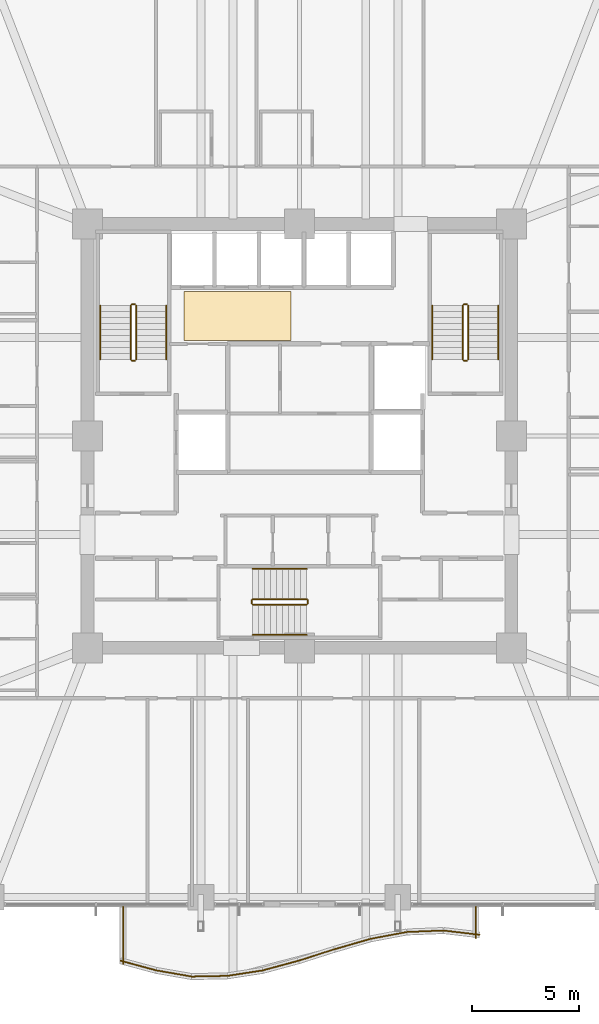
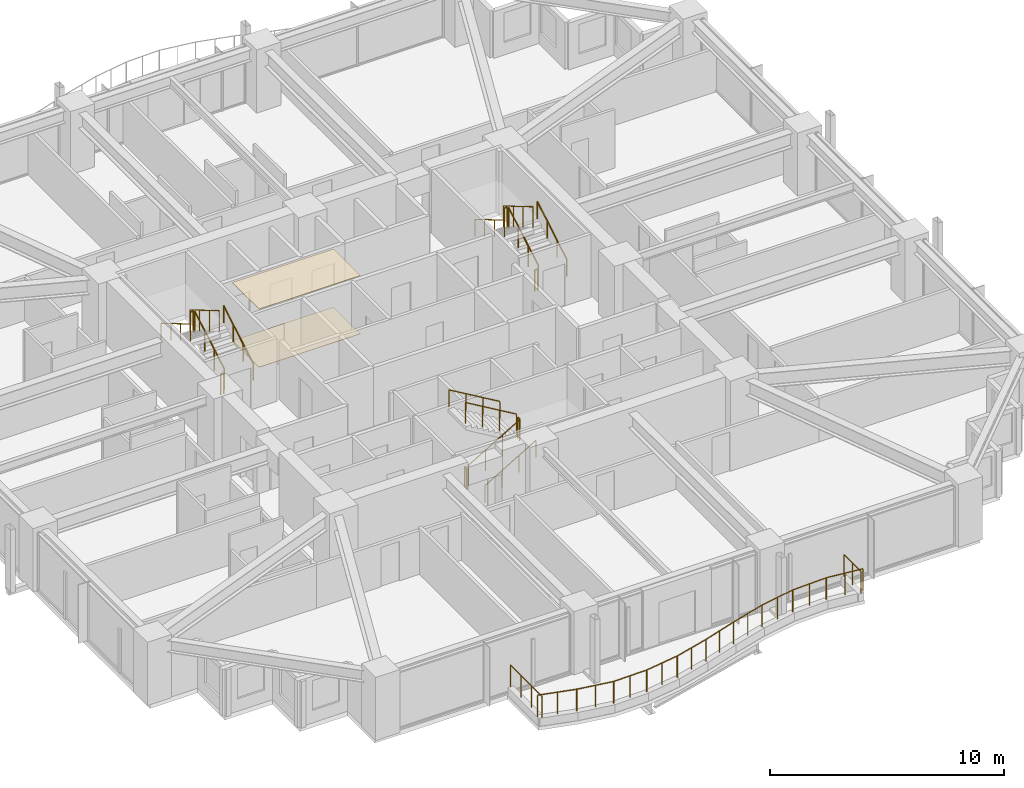
# One storey, part 37 of 38: 30 railings, 2 coverings.
"""IFC4 building model written with IfcOpenShell, lengths in metres."""

import ifcopenshell
import ifcopenshell.guid

model = None  # the IFC model being written
_history = None  # IfcOwnerHistory: only IFC2X3 demands one
_inside = {}  # id of a spatial element -> (the spatial element, [elements in it])
_under = {}  # id of a project, library or spatial element -> (it, [spatial elements below it])
_declared = {}  # id of a project -> (the project, [libraries it declares])
_typed = {}  # id of a type object -> (the type object, [elements of that type])
_made_of = {}  # id of a material, layer set ... -> (it, [elements and type objects made of it])


def new_model(schema):
    """Start an empty IFC model of exactly this schema.

    Asked for "IFC4X3", IfcOpenShell would pick the latest addendum, in which some entities
    have other attributes; the version numbers below select the first issue.
    IFC2X3 requires an IfcOwnerHistory on every rooted entity: one is made here for all.
    """
    global model, _history
    if schema == "IFC4X3":
        model = ifcopenshell.file(schema_version=(4, 3, 0, 0))
    else:
        model = ifcopenshell.file(schema=schema)
    _inside.clear()
    _under.clear()
    _declared.clear()
    _typed.clear()
    _made_of.clear()
    _history = None
    if model.schema == "IFC2X3":
        org = make("IfcOrganization", Name="unknown")
        user = make(
            "IfcPersonAndOrganization",
            ThePerson=make("IfcPerson", FamilyName="unknown"),
            TheOrganization=org,
        )
        app = make(
            "IfcApplication",
            ApplicationDeveloper=org,
            Version="unknown",
            ApplicationFullName="unknown",
            ApplicationIdentifier="unknown",
        )
        _history = make(
            "IfcOwnerHistory",
            OwningUser=user,
            OwningApplication=app,
            ChangeAction="ADDED",
            CreationDate=0,
        )
    return model


def make(cls, **values):
    """One entity of the class cls with the attributes given. An attribute that is None is left unset."""
    return model.create_entity(
        cls, **{name: value for name, value in values.items() if value is not None}
    )


def rooted(cls, **values):
    """An entity with a GlobalId (a new one), such as an element, a storey or a relation."""
    return make(cls, GlobalId=ifcopenshell.guid.new(), OwnerHistory=_history, **values)


def si_unit(unit_type, name, prefix=None):
    """IfcSIUnit, for example si_unit("LENGTHUNIT", "METRE", prefix="MILLI")."""
    return make("IfcSIUnit", UnitType=unit_type, Prefix=prefix, Name=name)


def assignment(units):
    """IfcUnitAssignment: the units of a project."""
    return None if units is None else make("IfcUnitAssignment", Units=units)


def point(xyz):
    """IfcCartesianPoint."""
    return None if xyz is None else make("IfcCartesianPoint", Coordinates=xyz)


def direction(xyz):
    """IfcDirection."""
    return None if xyz is None else make("IfcDirection", DirectionRatios=xyz)


def frame(location, z_axis=None, x_axis=None):
    """IfcAxis2Placement3D, a coordinate frame: its origin and axes. An axis left out is left unset."""
    return make(
        "IfcAxis2Placement3D",
        Location=point(location),
        Axis=direction(z_axis),
        RefDirection=direction(x_axis),
    )


def frame_2d(location, x_axis=None):
    """IfcAxis2Placement2D, a coordinate frame in the plane: its origin and x axis."""
    return make(
        "IfcAxis2Placement2D", Location=point(location), RefDirection=direction(x_axis)
    )


def origin():
    """The frame at (0, 0, 0) with its axes left unset."""
    return frame((0.0, 0.0, 0.0))


def origin_2d():
    """The frame at (0, 0) in the plane with its x axis left unset."""
    return frame_2d((0.0, 0.0))


def place(relative_to, where):
    """IfcLocalPlacement: puts the frame where relative to a parent placement (None: the world)."""
    return make(
        "IfcLocalPlacement", PlacementRelTo=relative_to, RelativePlacement=where
    )


def context(
    kind, dimensions, precision=None, world=None, true_north=None, identifier=None
):
    """IfcGeometricRepresentationContext, for example the 3D "Model" context."""
    return make(
        "IfcGeometricRepresentationContext",
        ContextIdentifier=identifier,
        ContextType=kind,
        CoordinateSpaceDimension=dimensions,
        Precision=precision,
        WorldCoordinateSystem=world,
        TrueNorth=true_north,
    )


def subcontext(parent, identifier, kind, view, scale=None):
    """IfcGeometricRepresentationSubContext, for example "Body" below "Model"."""
    return make(
        "IfcGeometricRepresentationSubContext",
        ContextIdentifier=identifier,
        ContextType=kind,
        ParentContext=parent,
        TargetScale=scale,
        TargetView=view,
    )


def project(units=None, contexts=None):
    """IfcProject with its units and contexts."""
    return rooted(
        "IfcProject",
        Name="project",
        RepresentationContexts=contexts,
        UnitsInContext=assignment(units),
    )


def spatial(cls, under=None, at=None, **own):
    """A site, building, storey or space (cls), placed at a placement, below another one or the project."""
    s = rooted(cls, ObjectPlacement=at, **own)
    if under is not None:
        _under.setdefault(under.id(), (under, []))[1].append(s)
    return s


def polyline(points):
    """IfcPolyline through the points."""
    return make("IfcPolyline", Points=[point(p) for p in points])


def profile(cls, at=None, kind="AREA", **sizes):
    """A parametric profile (cls). Its sizes go by their IFC names, for example OverallWidth=200.0."""
    return make(cls, ProfileType=kind, Position=at, **sizes)


def circle(**sizes):
    """IfcCircleProfileDef."""
    return profile("IfcCircleProfileDef", **sizes)


def outline(outer, holes=None, kind="AREA"):
    """IfcArbitraryClosedProfileDef: a profile drawn as a closed curve; with holes, ...WithVoids."""
    if holes is None:
        return make("IfcArbitraryClosedProfileDef", ProfileType=kind, OuterCurve=outer)
    return make(
        "IfcArbitraryProfileDefWithVoids",
        ProfileType=kind,
        OuterCurve=outer,
        InnerCurves=holes,
    )


def extrude(swept, where, along, depth):
    """IfcExtrudedAreaSolid: the profile swept, set in the frame where, extruded along a direction by depth."""
    return make(
        "IfcExtrudedAreaSolid",
        SweptArea=swept,
        Position=where,
        ExtrudedDirection=direction(along),
        Depth=depth,
    )


def shape(context_of_items, identifier, shape_type, items):
    """IfcShapeRepresentation: the items that make up one representation, for example the "Body"."""
    return make(
        "IfcShapeRepresentation",
        ContextOfItems=context_of_items,
        RepresentationIdentifier=identifier,
        RepresentationType=shape_type,
        Items=items,
    )


def material(Name=None, Category=None):
    """IfcMaterial."""
    return make("IfcMaterial", Name=Name, Category=Category)


def layer(
    of_material, thickness, ventilated=None, Name=None, Category=None, Priority=None
):
    """IfcMaterialLayer: one layer of a wall or slab, of a material (None: an air gap)."""
    return make(
        "IfcMaterialLayer",
        Material=of_material,
        LayerThickness=thickness,
        IsVentilated=ventilated,
        Name=Name,
        Category=Category,
        Priority=Priority,
    )


def layer_set(layers, Name=None):
    """IfcMaterialLayerSet."""
    return make("IfcMaterialLayerSet", MaterialLayers=layers, LayerSetName=Name)


def made_of(thing, what):
    """Note that an element or type object is made of a material, layer set ...; save() writes the relation."""
    if what is not None:
        _made_of.setdefault(what.id(), (what, []))[1].append(thing)
    return thing


def type_object(cls, material=None, **own):
    """A type object (cls), such as IfcWallType, which elements share."""
    return made_of(rooted(cls, **own), material)


def element(
    cls,
    number,
    at=None,
    inside=None,
    cuts=None,
    type_object=None,
    material=None,
    context=None,
    identifier="Body",
    shape_type=None,
    held_by="IfcProductDefinitionShape",
    body=None,
    shapes=None,
    **own,
):
    """One element of the class cls, such as IfcWall. Its Tag is "e" and its number.

    at: its placement. inside: the storey or other place that contains it. cuts: it is an
    opening in that element (IfcRelVoidsElement). A single representation is given by context,
    identifier, shape_type and body (its items); several are given by shapes. held_by: the class
    of the entity that holds the representations. save() writes the other relations.
    """
    e = rooted(cls, Tag="e%d" % number, ObjectPlacement=at, **own)
    if body is not None:
        shapes = [shape(context, identifier, shape_type, body)]
    if shapes is not None:
        e.Representation = make(held_by, Representations=shapes)
    if inside is not None:
        _inside.setdefault(inside.id(), (inside, []))[1].append(e)
    if cuts is not None:
        rooted(
            "IfcRelVoidsElement", RelatingBuildingElement=cuts, RelatedOpeningElement=e
        )
    if type_object is not None:
        _typed.setdefault(type_object.id(), (type_object, []))[1].append(e)
    return made_of(e, material)


def aggregate(whole, parts):
    """IfcRelAggregates: a whole, such as a stair, and the parts it consists of."""
    return rooted("IfcRelAggregates", RelatingObject=whole, RelatedObjects=parts)


def save(model, path):
    """Write the relations noted so far, then the file.

    IfcRelAggregates (storeys below a building ...), IfcRelContainedInSpatialStructure (elements
    in a storey), IfcRelDefinesByType, IfcRelAssociatesMaterial and IfcRelDeclares: one each for
    every whole, place, type object, material and project.
    """
    for whole, parts in _under.values():
        aggregate(whole, parts)
    for where, things in _inside.values():
        rooted(
            "IfcRelContainedInSpatialStructure",
            RelatedElements=things,
            RelatingStructure=where,
        )
    for kind, things in _typed.values():
        rooted("IfcRelDefinesByType", RelatedObjects=things, RelatingType=kind)
    for what, things in _made_of.values():
        rooted("IfcRelAssociatesMaterial", RelatedObjects=things, RelatingMaterial=what)
    for by, libraries in _declared.values():
        rooted("IfcRelDeclares", RelatingContext=by, RelatedDefinitions=libraries)
    model.write(path)


model = new_model("IFC4")

# Units and contexts
model_context = context("Model", 3, precision=1e-05, world=origin(), true_north=direction((0.0, 1.0)))
body_context = subcontext(model_context, "Body", "Model", "MODEL_VIEW")
ifc_project = project(units=[si_unit("LENGTHUNIT", "METRE"), si_unit("AREAUNIT", "SQUARE_METRE"), si_unit("VOLUMEUNIT", "CUBIC_METRE"), si_unit("PLANEANGLEUNIT", "RADIAN"), si_unit("MASSUNIT", "GRAM", prefix="KILO")], contexts=[model_context])

# Site, building, storey
site_placement = place(None, origin())
site = spatial("IfcSite", under=ifc_project, at=site_placement, CompositionType="ELEMENT")
building_placement = place(site_placement, origin())
building = spatial("IfcBuilding", under=site, at=building_placement, Name="Kolvaren Belvedere", CompositionType="ELEMENT")
storey_placement = place(building_placement, frame((0.0, 0.0, 50.199951171875)))
storey = spatial("IfcBuildingStorey", under=building, at=storey_placement, Name="L14", CompositionType="ELEMENT", Elevation=50.199951171875)

# Coverings
ifc_material_1 = material(Name="Acoustic perforated gypsum board", Category="gypsum")
ifc_layer_1 = layer(ifc_material_1, 0.02490234375)
ifc_layer_set_1 = layer_set([ifc_layer_1], Name="Acoustic perforated gypsum board")
covering_type_1 = type_object("IfcCoveringType", Name="COV-CEIL-GYP", PredefinedType="CEILING", material=ifc_layer_set_1)
covering_1_placement = place(storey_placement, frame((0.0, 0.0, 3.03515625)))
element("IfcCovering", 1, at=covering_1_placement, inside=storey, type_object=covering_type_1, Name="L14 Lift Lobby Acoustic Baffle Ceiling", PredefinedType="CEILING", context=body_context, shape_type="SweptSolid", body=[
    extrude(outline(polyline([(-5.39990234375, 4.449951171875), (-0.39990234375, 4.449951171875), (-0.39990234375, 6.75), (-5.39990234375, 6.75), (-5.39990234375, 4.449951171875)])), origin(), (0.0, 0.0, 1.0), 0.02490234375),
])
ifc_material_2 = material(Name="Engineered Pacific white oak", Category="timber")
ifc_layer_2 = layer(ifc_material_2, 0.02001953125)
ifc_layer_set_2 = layer_set([ifc_layer_2], Name="Engineered Pacific white oak")
covering_type_2 = type_object("IfcCoveringType", Name="COV-FLR-OAK", PredefinedType="FLOORING", material=ifc_layer_set_2)
covering_2_placement = place(storey_placement, origin())
element("IfcCovering", 2, at=covering_2_placement, inside=storey, type_object=covering_type_2, Name="L14 Lift Lobby Finish Flooring", PredefinedType="FLOORING", context=body_context, shape_type="SweptSolid", body=[
    extrude(outline(polyline([(-5.39990234375, 4.449951171875), (-0.39990234375, 4.449951171875), (-0.39990234375, 6.75), (-5.39990234375, 6.75), (-5.39990234375, 4.449951171875)])), origin(), (0.0, 0.0, 1.0), 0.02001953125),
])

# Railings
ifc_material_3 = material(Name="Anodised pale-metal aluminium & laminated glass guard", Category="aluminium")
railing_type_1 = type_object("IfcRailingType", Name="RL-GUARD-1150", PredefinedType="GUARDRAIL", material=ifc_material_3)
railing_1_placement = place(storey_placement, frame((-8.3583984375, -24.519287109375, 0.360107421875)))
element("IfcRailing", 3, at=railing_1_placement, inside=storey, type_object=railing_type_1, Name="L14 Exterior Deck Safety Guard BAL-S-1", PredefinedType="GUARDRAIL", context=body_context, shape_type="SweptSolid", body=[
    extrude(circle(Radius=0.02392578125, at=origin_2d()), frame((0.0, 0.0, 1.1259765625), z_axis=(0.965434024814, -0.260647546949, 0.0), x_axis=(0.260647546949, 0.965434024814, 0.0)), (0.0, 0.0, 1.0), 1.740234375),
    extrude(circle(Radius=0.02099609375, at=origin_2d()), origin(), (0.0, 0.0, 1.0), 1.101806640625),
    extrude(circle(Radius=0.02099609375, at=origin_2d()), frame((0.840087890625, -0.226806640625, 0.0)), (0.0, 0.0, 1.0), 1.101806640625),
    extrude(circle(Radius=0.02099609375, at=origin_2d()), frame((1.68017578125, -0.45361328125, 0.0)), (0.0, 0.0, 1.0), 1.101806640625),
])
railing_2_placement = place(storey_placement, frame((-6.6923828125, -24.9697265625, 0.360107421875)))
element("IfcRailing", 4, at=railing_2_placement, inside=storey, type_object=railing_type_1, Name="L14 Exterior Deck Safety Guard BAL-S-2", PredefinedType="GUARDRAIL", context=body_context, shape_type="SweptSolid", body=[
    extrude(circle(Radius=0.02392578125, at=origin_2d()), frame((0.0, 0.0, 1.1259765625), z_axis=(0.985156010777, -0.171661394699, 0.0), x_axis=(0.171661394699, 0.985156010777, 0.0)), (0.0, 0.0, 1.0), 1.705322265625),
    extrude(circle(Radius=0.02099609375, at=origin_2d()), origin(), (0.0, 0.0, 1.0), 1.101806640625),
    extrude(circle(Radius=0.02099609375, at=origin_2d()), frame((0.83984375, -0.146484375, 0.0)), (0.0, 0.0, 1.0), 1.101806640625),
    extrude(circle(Radius=0.02099609375, at=origin_2d()), frame((1.679931640625, -0.292724609375, 0.0)), (0.0, 0.0, 1.0), 1.101806640625),
])
railing_3_placement = place(storey_placement, frame((-5.043212890625, -25.260009765625, 0.360107421875)))
element("IfcRailing", 5, at=railing_3_placement, inside=storey, type_object=railing_type_1, Name="L14 Exterior Deck Safety Guard BAL-S-3", PredefinedType="GUARDRAIL", context=body_context, shape_type="SweptSolid", body=[
    extrude(circle(Radius=0.02392578125, at=origin_2d()), frame((0.0, 0.0, 1.1259765625), z_axis=(0.999796031266, 0.020196431964, 0.0), x_axis=(-0.020196431964, 0.999796031266, 0.0)), (0.0, 0.0, 1.0), 1.68017578125),
    extrude(circle(Radius=0.02099609375, at=origin_2d()), origin(), (0.0, 0.0, 1.0), 1.101806640625),
    extrude(circle(Radius=0.02099609375, at=origin_2d()), frame((0.83984375, 0.01708984375, 0.0)), (0.0, 0.0, 1.0), 1.101806640625),
    extrude(circle(Radius=0.02099609375, at=origin_2d()), frame((1.679931640625, 0.033935546875, 0.0)), (0.0, 0.0, 1.0), 1.101806640625),
])
railing_4_placement = place(storey_placement, frame((-3.384521484375, -25.22802734375, 0.360107421875)))
element("IfcRailing", 6, at=railing_4_placement, inside=storey, type_object=railing_type_1, Name="L14 Exterior Deck Safety Guard BAL-S-4", PredefinedType="GUARDRAIL", context=body_context, shape_type="SweptSolid", body=[
    extrude(circle(Radius=0.02392578125, at=origin_2d()), frame((0.0, 0.0, 1.1259765625), z_axis=(0.988345118302, 0.152229849666, 0.0), x_axis=(-0.152229849666, 0.988345118302, 0.0)), (0.0, 0.0, 1.0), 1.699951171875),
    extrude(circle(Radius=0.02099609375, at=origin_2d()), origin(), (0.0, 0.0, 1.0), 1.101806640625),
    extrude(circle(Radius=0.02099609375, at=origin_2d()), frame((0.840087890625, 0.12939453125, 0.0)), (0.0, 0.0, 1.0), 1.101806640625),
    extrude(circle(Radius=0.02099609375, at=origin_2d()), frame((1.68017578125, 0.2587890625, 0.0)), (0.0, 0.0, 1.0), 1.101806640625),
])
railing_5_placement = place(storey_placement, frame((-1.7216796875, -24.972900390625, 0.360107421875)))
element("IfcRailing", 7, at=railing_5_placement, inside=storey, type_object=railing_type_1, Name="L14 Exterior Deck Safety Guard BAL-S-5", PredefinedType="GUARDRAIL", context=body_context, shape_type="SweptSolid", body=[
    extrude(circle(Radius=0.02392578125, at=origin_2d()), frame((0.0, 0.0, 1.1259765625), z_axis=(0.965424492388, 0.260682852326, 0.0), x_axis=(-0.260682852326, 0.965424492388, 0.0)), (0.0, 0.0, 1.0), 1.739990234375),
    extrude(circle(Radius=0.02099609375, at=origin_2d()), origin(), (0.0, 0.0, 1.0), 1.101806640625),
    extrude(circle(Radius=0.02099609375, at=origin_2d()), frame((0.83984375, 0.226806640625, 0.0)), (0.0, 0.0, 1.0), 1.101806640625),
    extrude(circle(Radius=0.02099609375, at=origin_2d()), frame((1.679931640625, 0.45361328125, 0.0)), (0.0, 0.0, 1.0), 1.101806640625),
])
railing_6_placement = place(storey_placement, frame((-0.048583984375, -24.521240234375, 0.360107421875)))
element("IfcRailing", 8, at=railing_6_placement, inside=storey, type_object=railing_type_1, Name="L14 Exterior Deck Safety Guard BAL-S-6", PredefinedType="GUARDRAIL", context=body_context, shape_type="SweptSolid", body=[
    extrude(circle(Radius=0.02392578125, at=origin_2d()), frame((0.0, 0.0, 1.1259765625), z_axis=(0.952661770826, 0.304032153573, 0.0), x_axis=(-0.304032153573, 0.952661770826, 0.0)), (0.0, 0.0, 1.0), 1.763427734375),
    extrude(circle(Radius=0.02099609375, at=origin_2d()), origin(), (0.0, 0.0, 1.0), 1.101806640625),
    extrude(circle(Radius=0.02099609375, at=origin_2d()), frame((0.83984375, 0.26806640625, 0.0)), (0.0, 0.0, 1.0), 1.101806640625),
    extrude(circle(Radius=0.02099609375, at=origin_2d()), frame((1.679931640625, 0.5361328125, 0.0)), (0.0, 0.0, 1.0), 1.101806640625),
])
railing_7_placement = place(storey_placement, frame((1.635498046875, -23.98388671875, 0.360107421875)))
element("IfcRailing", 9, at=railing_7_placement, inside=storey, type_object=railing_type_1, Name="L14 Exterior Deck Safety Guard BAL-S-7", PredefinedType="GUARDRAIL", context=body_context, shape_type="SweptSolid", body=[
    extrude(circle(Radius=0.02392578125, at=origin_2d()), frame((0.0, 0.0, 1.1259765625), z_axis=(0.96059663827, 0.277946215201, 0.0), x_axis=(-0.277946215201, 0.96059663827, 0.0)), (0.0, 0.0, 1.0), 1.748779296875),
    extrude(circle(Radius=0.02099609375, at=origin_2d()), origin(), (0.0, 0.0, 1.0), 1.101806640625),
    extrude(circle(Radius=0.02099609375, at=origin_2d()), frame((0.83984375, 0.2431640625, 0.0)), (0.0, 0.0, 1.0), 1.101806640625),
    extrude(circle(Radius=0.02099609375, at=origin_2d()), frame((1.679931640625, 0.486083984375, 0.0)), (0.0, 0.0, 1.0), 1.101806640625),
])
railing_8_placement = place(storey_placement, frame((3.330322265625, -23.494384765625, 0.360107421875)))
element("IfcRailing", 10, at=railing_8_placement, inside=storey, type_object=railing_type_1, Name="L14 Exterior Deck Safety Guard BAL-S-8", PredefinedType="GUARDRAIL", context=body_context, shape_type="SweptSolid", body=[
    extrude(circle(Radius=0.02392578125, at=origin_2d()), frame((0.0, 0.0, 1.1259765625), z_axis=(0.982804219087, 0.184650661912, 0.0), x_axis=(-0.184650661912, 0.982804219087, 0.0)), (0.0, 0.0, 1.0), 1.70947265625),
    extrude(circle(Radius=0.02099609375, at=origin_2d()), origin(), (0.0, 0.0, 1.0), 1.101806640625),
    extrude(circle(Radius=0.02099609375, at=origin_2d()), frame((0.840087890625, 0.15771484375, 0.0)), (0.0, 0.0, 1.0), 1.101806640625),
    extrude(circle(Radius=0.02099609375, at=origin_2d()), frame((1.68017578125, 0.315673828125, 0.0)), (0.0, 0.0, 1.0), 1.101806640625),
])
railing_9_placement = place(storey_placement, frame((5.03369140625, -23.17578125, 0.360107421875)))
element("IfcRailing", 11, at=railing_9_placement, inside=storey, type_object=railing_type_1, Name="L14 Exterior Deck Safety Guard BAL-S-9", PredefinedType="GUARDRAIL", context=body_context, shape_type="SweptSolid", body=[
    extrude(circle(Radius=0.02392578125, at=origin_2d()), frame((0.0, 0.0, 1.1259765625), z_axis=(0.999202349922, 0.039933243166, 0.0), x_axis=(-0.039933243166, 0.999202349922, 0.0)), (0.0, 0.0, 1.0), 1.68115234375),
    extrude(circle(Radius=0.02099609375, at=origin_2d()), origin(), (0.0, 0.0, 1.0), 1.101806640625),
    extrude(circle(Radius=0.02099609375, at=origin_2d()), frame((0.83984375, 0.03369140625, 0.0)), (0.0, 0.0, 1.0), 1.101806640625),
    extrude(circle(Radius=0.02099609375, at=origin_2d()), frame((1.679931640625, 0.067138671875, 0.0)), (0.0, 0.0, 1.0), 1.101806640625),
])
railing_10_placement = place(storey_placement, frame((6.73876953125, -23.109619140625, 0.360107421875)))
element("IfcRailing", 12, at=railing_10_placement, inside=storey, type_object=railing_type_1, Name="L14 Exterior Deck Safety Guard BAL-S-10", PredefinedType="GUARDRAIL", context=body_context, shape_type="SweptSolid", body=[
    extrude(circle(Radius=0.02392578125, at=origin_2d()), frame((0.0, 0.0, 1.1259765625), z_axis=(0.993142720498, -0.116908240605, 0.0), x_axis=(0.116908240605, 0.993142720498, 0.0)), (0.0, 0.0, 1.0), 1.691650390625),
    extrude(circle(Radius=0.02099609375, at=origin_2d()), origin(), (0.0, 0.0, 1.0), 1.101806640625),
    extrude(circle(Radius=0.02099609375, at=origin_2d()), frame((0.83984375, -0.098876953125, 0.0)), (0.0, 0.0, 1.0), 1.101806640625),
    extrude(circle(Radius=0.02099609375, at=origin_2d()), frame((1.679931640625, -0.19775390625, 0.0)), (0.0, 0.0, 1.0), 1.101806640625),
])
railing_11_placement = place(storey_placement, frame((8.239990234375, -23.46630859375, 0.360107421875)))
element("IfcRailing", 13, at=railing_11_placement, inside=storey, type_object=railing_type_1, Name="L14 Exterior Deck Safety Guard BAL-S-11", PredefinedType="GUARDRAIL", context=body_context, shape_type="SweptSolid", body=[
    extrude(circle(Radius=0.02392578125, at=origin_2d()), frame((0.0, 0.0, 1.1259765625), z_axis=(0.0, 1.0, 0.0), x_axis=(-1.0, 0.0, 0.0)), (0.0, 0.0, 1.0), 1.46630859375),
    extrude(circle(Radius=0.02099609375, at=origin_2d()), origin(), (0.0, 0.0, 1.0), 1.101806640625),
    extrude(circle(Radius=0.02099609375, at=origin_2d()), frame((0.0, 0.733154296875, 0.0)), (0.0, 0.0, 1.0), 1.101806640625),
    extrude(circle(Radius=0.02099609375, at=origin_2d()), frame((0.0, 1.46630859375, 0.0)), (0.0, 0.0, 1.0), 1.101806640625),
])
railing_12_placement = place(storey_placement, frame((-8.239990234375, -22.0, 0.360107421875)))
element("IfcRailing", 14, at=railing_12_placement, inside=storey, type_object=railing_type_1, Name="L14 Exterior Deck Safety Guard BAL-S-22", PredefinedType="GUARDRAIL", context=body_context, shape_type="SweptSolid", body=[
    extrude(circle(Radius=0.02392578125, at=origin_2d()), frame((0.0, 0.0, 1.1259765625), z_axis=(0.0, -1.0, 0.0), x_axis=(1.0, 0.0, 0.0)), (0.0, 0.0, 1.0), 2.673583984375),
    extrude(circle(Radius=0.02099609375, at=origin_2d()), origin(), (0.0, 0.0, 1.0), 1.101806640625),
    extrude(circle(Radius=0.02099609375, at=origin_2d()), frame((0.0, -0.89111328125, 0.0)), (0.0, 0.0, 1.0), 1.101806640625),
    extrude(circle(Radius=0.02099609375, at=origin_2d()), frame((0.0, -1.782470703125, 0.0)), (0.0, 0.0, 1.0), 1.101806640625),
    extrude(circle(Radius=0.02099609375, at=origin_2d()), frame((0.0, -2.673583984375, 0.0)), (0.0, 0.0, 1.0), 1.101806640625),
])
ifc_material_4 = material(Name="Brushed stainless-steel handrail", Category="steel")
railing_type_2 = type_object("IfcRailingType", Name="RL-HANDRAIL-920", PredefinedType="HANDRAIL", material=ifc_material_4)
railing_13_placement = place(storey_placement, frame((-6.2099609375, 3.570068359375, 0.1650390625)))
element("IfcRailing", 15, at=railing_13_placement, inside=storey, type_object=railing_type_2, Name="L14 ST-1 stair handrail 1", PredefinedType="HANDRAIL", context=body_context, shape_type="SweptSolid", body=[
    extrude(circle(Radius=0.02392578125, at=origin_2d()), frame((0.0, 0.0, 0.8759765625), z_axis=(0.0, 0.86152411907, 0.507716645641), x_axis=(-1.0, 0.0, 0.0)), (0.0, 0.0, 1.0), 2.925048828125),
    extrude(circle(Radius=0.02099609375, at=origin_2d()), origin(), (0.0, 0.0, 1.0), 0.851806640625),
    extrude(circle(Radius=0.02099609375, at=origin_2d()), frame((0.0, 0.840087890625, 0.4951171875)), (0.0, 0.0, 1.0), 0.851806640625),
    extrude(circle(Radius=0.02099609375, at=origin_2d()), frame((0.0, 1.679931640625, 0.989990234375)), (0.0, 0.0, 1.0), 0.851806640625),
    extrude(circle(Radius=0.02099609375, at=origin_2d()), frame((0.0, 2.52001953125, 1.485107421875)), (0.0, 0.0, 1.0), 0.851806640625),
])
railing_14_placement = place(storey_placement, frame((-9.300048828125, 6.090087890625, 1.81494140625)))
element("IfcRailing", 16, at=railing_14_placement, inside=storey, type_object=railing_type_2, Name="L14 ST-1 stair handrail 2", PredefinedType="HANDRAIL", context=body_context, shape_type="SweptSolid", body=[
    extrude(circle(Radius=0.02392578125, at=origin_2d()), frame((0.0, 0.0, 0.8759765625), z_axis=(0.0, -0.86152411907, 0.507716645641), x_axis=(1.0, 0.0, 0.0)), (0.0, 0.0, 1.0), 2.925048828125),
    extrude(circle(Radius=0.02099609375, at=origin_2d()), origin(), (0.0, 0.0, 1.0), 0.851806640625),
    extrude(circle(Radius=0.02099609375, at=origin_2d()), frame((0.0, -0.840087890625, 0.4951171875)), (0.0, 0.0, 1.0), 0.851806640625),
    extrude(circle(Radius=0.02099609375, at=origin_2d()), frame((0.0, -1.679931640625, 0.989990234375)), (0.0, 0.0, 1.0), 0.851806640625),
    extrude(circle(Radius=0.02099609375, at=origin_2d()), frame((0.0, -2.52001953125, 1.485107421875)), (0.0, 0.0, 1.0), 0.851806640625),
])
railing_15_placement = place(storey_placement, frame((9.300048828125, 3.570068359375, 0.1650390625)))
element("IfcRailing", 17, at=railing_15_placement, inside=storey, type_object=railing_type_2, Name="L14 ST-2 stair handrail 1", PredefinedType="HANDRAIL", context=body_context, shape_type="SweptSolid", body=[
    extrude(circle(Radius=0.02392578125, at=origin_2d()), frame((0.0, 0.0, 0.8759765625), z_axis=(0.0, 0.86152411907, 0.507716645641), x_axis=(-1.0, 0.0, 0.0)), (0.0, 0.0, 1.0), 2.925048828125),
    extrude(circle(Radius=0.02099609375, at=origin_2d()), origin(), (0.0, 0.0, 1.0), 0.851806640625),
    extrude(circle(Radius=0.02099609375, at=origin_2d()), frame((0.0, 0.840087890625, 0.4951171875)), (0.0, 0.0, 1.0), 0.851806640625),
    extrude(circle(Radius=0.02099609375, at=origin_2d()), frame((0.0, 1.679931640625, 0.989990234375)), (0.0, 0.0, 1.0), 0.851806640625),
    extrude(circle(Radius=0.02099609375, at=origin_2d()), frame((0.0, 2.52001953125, 1.485107421875)), (0.0, 0.0, 1.0), 0.851806640625),
])
railing_16_placement = place(storey_placement, frame((6.2099609375, 6.090087890625, 1.81494140625)))
element("IfcRailing", 18, at=railing_16_placement, inside=storey, type_object=railing_type_2, Name="L14 ST-2 stair handrail 2", PredefinedType="HANDRAIL", context=body_context, shape_type="SweptSolid", body=[
    extrude(circle(Radius=0.02392578125, at=origin_2d()), frame((0.0, 0.0, 0.8759765625), z_axis=(0.0, -0.86152411907, 0.507716645641), x_axis=(1.0, 0.0, 0.0)), (0.0, 0.0, 1.0), 2.925048828125),
    extrude(circle(Radius=0.02099609375, at=origin_2d()), origin(), (0.0, 0.0, 1.0), 0.851806640625),
    extrude(circle(Radius=0.02099609375, at=origin_2d()), frame((0.0, -0.840087890625, 0.4951171875)), (0.0, 0.0, 1.0), 0.851806640625),
    extrude(circle(Radius=0.02099609375, at=origin_2d()), frame((0.0, -1.679931640625, 0.989990234375)), (0.0, 0.0, 1.0), 0.851806640625),
    extrude(circle(Radius=0.02099609375, at=origin_2d()), frame((0.0, -2.52001953125, 1.485107421875)), (0.0, 0.0, 1.0), 0.851806640625),
])
railing_17_placement = place(storey_placement, frame((-2.179931640625, -9.300048828125, 0.1650390625)))
element("IfcRailing", 19, at=railing_17_placement, inside=storey, type_object=railing_type_2, Name="L14 ST-3 stair handrail 1", PredefinedType="HANDRAIL", context=body_context, shape_type="SweptSolid", body=[
    extrude(circle(Radius=0.02392578125, at=origin_2d()), frame((0.0, 0.0, 0.8759765625), z_axis=(0.86152411907, 0.0, 0.507716645641), x_axis=(0.0, 1.0, 0.0)), (0.0, 0.0, 1.0), 2.925048828125),
    extrude(circle(Radius=0.02099609375, at=origin_2d()), origin(), (0.0, 0.0, 1.0), 0.851806640625),
    extrude(circle(Radius=0.02099609375, at=origin_2d()), frame((0.840087890625, 0.0, 0.4951171875)), (0.0, 0.0, 1.0), 0.851806640625),
    extrude(circle(Radius=0.02099609375, at=origin_2d()), frame((1.679931640625, 0.0, 0.989990234375)), (0.0, 0.0, 1.0), 0.851806640625),
    extrude(circle(Radius=0.02099609375, at=origin_2d()), frame((2.52001953125, 0.0, 1.485107421875)), (0.0, 0.0, 1.0), 0.851806640625),
])
railing_18_placement = place(storey_placement, frame((0.340087890625, -6.2099609375, 1.81494140625)))
element("IfcRailing", 20, at=railing_18_placement, inside=storey, type_object=railing_type_2, Name="L14 ST-3 stair handrail 2", PredefinedType="HANDRAIL", context=body_context, shape_type="SweptSolid", body=[
    extrude(circle(Radius=0.02392578125, at=origin_2d()), frame((0.0, 0.0, 0.8759765625), z_axis=(-0.86152411907, 0.0, 0.507716645641), x_axis=(0.0, -1.0, 0.0)), (0.0, 0.0, 1.0), 2.925048828125),
    extrude(circle(Radius=0.02099609375, at=origin_2d()), origin(), (0.0, 0.0, 1.0), 0.851806640625),
    extrude(circle(Radius=0.02099609375, at=origin_2d()), frame((-0.840087890625, 0.0, 0.4951171875)), (0.0, 0.0, 1.0), 0.851806640625),
    extrude(circle(Radius=0.02099609375, at=origin_2d()), frame((-1.679931640625, 0.0, 0.989990234375)), (0.0, 0.0, 1.0), 0.851806640625),
    extrude(circle(Radius=0.02099609375, at=origin_2d()), frame((-2.52001953125, 0.0, 1.485107421875)), (0.0, 0.0, 1.0), 0.851806640625),
])
ifc_material_5 = material(Name="Painted tubular steel stair guard", Category="steel")
railing_type_3 = type_object("IfcRailingType", Name="RL-STGUARD-1100", PredefinedType="GUARDRAIL", material=ifc_material_5)
railing_19_placement = place(storey_placement, frame((-7.6298828125, 3.570068359375, 0.1650390625)))
element("IfcRailing", 21, at=railing_19_placement, inside=storey, type_object=railing_type_3, Name="L14 ST-1 stair guard 1", PredefinedType="GUARDRAIL", context=body_context, shape_type="SweptSolid", body=[
    extrude(circle(Radius=0.02392578125, at=origin_2d()), frame((0.0, 0.0, 1.076171875), z_axis=(0.0, 0.86152411907, 0.507716645641), x_axis=(-1.0, 0.0, 0.0)), (0.0, 0.0, 1.0), 2.925048828125),
    extrude(circle(Radius=0.02099609375, at=origin_2d()), origin(), (0.0, 0.0, 1.0), 1.052001953125),
    extrude(circle(Radius=0.02099609375, at=origin_2d()), frame((0.0, 0.840087890625, 0.4951171875)), (0.0, 0.0, 1.0), 1.052001953125),
    extrude(circle(Radius=0.02099609375, at=origin_2d()), frame((0.0, 1.679931640625, 0.989990234375)), (0.0, 0.0, 1.0), 1.052001953125),
    extrude(circle(Radius=0.02099609375, at=origin_2d()), frame((0.0, 2.52001953125, 1.485107421875)), (0.0, 0.0, 1.0), 1.052001953125),
])
railing_20_placement = place(storey_placement, frame((-7.679931640625, 6.139892578125, 1.650146484375)))
element("IfcRailing", 22, at=railing_20_placement, inside=storey, type_object=railing_type_3, Name="L14 ST-1 stair guard 2", PredefinedType="GUARDRAIL", context=body_context, shape_type="SweptSolid", body=[
    extrude(circle(Radius=0.02392578125, at=origin_2d()), frame((0.0, 0.0, 1.076171875), z_axis=(-1.0, 0.0, 0.0), x_axis=(0.0, -1.0, 0.0)), (0.0, 0.0, 1.0), 0.150146484375),
    extrude(circle(Radius=0.02099609375, at=origin_2d()), origin(), (0.0, 0.0, 1.0), 1.052001953125),
    extrude(circle(Radius=0.02099609375, at=origin_2d()), frame((-0.150146484375, 0.0, 0.0)), (0.0, 0.0, 1.0), 1.052001953125),
])
railing_21_placement = place(storey_placement, frame((-7.8798828125, 6.090087890625, 1.81494140625)))
element("IfcRailing", 23, at=railing_21_placement, inside=storey, type_object=railing_type_3, Name="L14 ST-1 stair guard 3", PredefinedType="GUARDRAIL", context=body_context, shape_type="SweptSolid", body=[
    extrude(circle(Radius=0.02392578125, at=origin_2d()), frame((0.0, 0.0, 1.076171875), z_axis=(0.0, -0.86152411907, 0.507716645641), x_axis=(1.0, 0.0, 0.0)), (0.0, 0.0, 1.0), 2.925048828125),
    extrude(circle(Radius=0.02099609375, at=origin_2d()), origin(), (0.0, 0.0, 1.0), 1.052001953125),
    extrude(circle(Radius=0.02099609375, at=origin_2d()), frame((0.0, -0.840087890625, 0.4951171875)), (0.0, 0.0, 1.0), 1.052001953125),
    extrude(circle(Radius=0.02099609375, at=origin_2d()), frame((0.0, -1.679931640625, 0.989990234375)), (0.0, 0.0, 1.0), 1.052001953125),
    extrude(circle(Radius=0.02099609375, at=origin_2d()), frame((0.0, -2.52001953125, 1.485107421875)), (0.0, 0.0, 1.0), 1.052001953125),
])
railing_22_placement = place(storey_placement, frame((-7.679931640625, 3.52001953125, 0.0)))
element("IfcRailing", 24, at=railing_22_placement, inside=storey, type_object=railing_type_3, Name="L14 ST-1 stair guard 4", PredefinedType="GUARDRAIL", context=body_context, shape_type="SweptSolid", body=[
    extrude(circle(Radius=0.02392578125, at=origin_2d()), frame((0.0, 0.0, 1.076171875), z_axis=(-1.0, 0.0, 0.0), x_axis=(0.0, -1.0, 0.0)), (0.0, 0.0, 1.0), 0.150146484375),
    extrude(circle(Radius=0.02099609375, at=origin_2d()), origin(), (0.0, 0.0, 1.0), 1.052001953125),
    extrude(circle(Radius=0.02099609375, at=origin_2d()), frame((-0.150146484375, 0.0, 0.0)), (0.0, 0.0, 1.0), 1.052001953125),
])
railing_23_placement = place(storey_placement, frame((7.8798828125, 3.570068359375, 0.1650390625)))
element("IfcRailing", 25, at=railing_23_placement, inside=storey, type_object=railing_type_3, Name="L14 ST-2 stair guard 1", PredefinedType="GUARDRAIL", context=body_context, shape_type="SweptSolid", body=[
    extrude(circle(Radius=0.02392578125, at=origin_2d()), frame((0.0, 0.0, 1.076171875), z_axis=(0.0, 0.86152411907, 0.507716645641), x_axis=(-1.0, 0.0, 0.0)), (0.0, 0.0, 1.0), 2.925048828125),
    extrude(circle(Radius=0.02099609375, at=origin_2d()), origin(), (0.0, 0.0, 1.0), 1.052001953125),
    extrude(circle(Radius=0.02099609375, at=origin_2d()), frame((0.0, 0.840087890625, 0.4951171875)), (0.0, 0.0, 1.0), 1.052001953125),
    extrude(circle(Radius=0.02099609375, at=origin_2d()), frame((0.0, 1.679931640625, 0.989990234375)), (0.0, 0.0, 1.0), 1.052001953125),
    extrude(circle(Radius=0.02099609375, at=origin_2d()), frame((0.0, 2.52001953125, 1.485107421875)), (0.0, 0.0, 1.0), 1.052001953125),
])
railing_24_placement = place(storey_placement, frame((7.830078125, 6.139892578125, 1.650146484375)))
element("IfcRailing", 26, at=railing_24_placement, inside=storey, type_object=railing_type_3, Name="L14 ST-2 stair guard 2", PredefinedType="GUARDRAIL", context=body_context, shape_type="SweptSolid", body=[
    extrude(circle(Radius=0.02392578125, at=origin_2d()), frame((0.0, 0.0, 1.076171875), z_axis=(-1.0, 0.0, 0.0), x_axis=(0.0, -1.0, 0.0)), (0.0, 0.0, 1.0), 0.150146484375),
    extrude(circle(Radius=0.02099609375, at=origin_2d()), origin(), (0.0, 0.0, 1.0), 1.052001953125),
    extrude(circle(Radius=0.02099609375, at=origin_2d()), frame((-0.150146484375, 0.0, 0.0)), (0.0, 0.0, 1.0), 1.052001953125),
])
railing_25_placement = place(storey_placement, frame((7.6298828125, 6.090087890625, 1.81494140625)))
element("IfcRailing", 27, at=railing_25_placement, inside=storey, type_object=railing_type_3, Name="L14 ST-2 stair guard 3", PredefinedType="GUARDRAIL", context=body_context, shape_type="SweptSolid", body=[
    extrude(circle(Radius=0.02392578125, at=origin_2d()), frame((0.0, 0.0, 1.076171875), z_axis=(0.0, -0.86152411907, 0.507716645641), x_axis=(1.0, 0.0, 0.0)), (0.0, 0.0, 1.0), 2.925048828125),
    extrude(circle(Radius=0.02099609375, at=origin_2d()), origin(), (0.0, 0.0, 1.0), 1.052001953125),
    extrude(circle(Radius=0.02099609375, at=origin_2d()), frame((0.0, -0.840087890625, 0.4951171875)), (0.0, 0.0, 1.0), 1.052001953125),
    extrude(circle(Radius=0.02099609375, at=origin_2d()), frame((0.0, -1.679931640625, 0.989990234375)), (0.0, 0.0, 1.0), 1.052001953125),
    extrude(circle(Radius=0.02099609375, at=origin_2d()), frame((0.0, -2.52001953125, 1.485107421875)), (0.0, 0.0, 1.0), 1.052001953125),
])
railing_26_placement = place(storey_placement, frame((7.830078125, 3.52001953125, 0.0)))
element("IfcRailing", 28, at=railing_26_placement, inside=storey, type_object=railing_type_3, Name="L14 ST-2 stair guard 4", PredefinedType="GUARDRAIL", context=body_context, shape_type="SweptSolid", body=[
    extrude(circle(Radius=0.02392578125, at=origin_2d()), frame((0.0, 0.0, 1.076171875), z_axis=(-1.0, 0.0, 0.0), x_axis=(0.0, -1.0, 0.0)), (0.0, 0.0, 1.0), 0.150146484375),
    extrude(circle(Radius=0.02099609375, at=origin_2d()), origin(), (0.0, 0.0, 1.0), 1.052001953125),
    extrude(circle(Radius=0.02099609375, at=origin_2d()), frame((-0.150146484375, 0.0, 0.0)), (0.0, 0.0, 1.0), 1.052001953125),
])
railing_27_placement = place(storey_placement, frame((-2.179931640625, -7.8798828125, 0.1650390625)))
element("IfcRailing", 29, at=railing_27_placement, inside=storey, type_object=railing_type_3, Name="L14 ST-3 stair guard 1", PredefinedType="GUARDRAIL", context=body_context, shape_type="SweptSolid", body=[
    extrude(circle(Radius=0.02392578125, at=origin_2d()), frame((0.0, 0.0, 1.076171875), z_axis=(0.86152411907, 0.0, 0.507716645641), x_axis=(0.0, 1.0, 0.0)), (0.0, 0.0, 1.0), 2.925048828125),
    extrude(circle(Radius=0.02099609375, at=origin_2d()), origin(), (0.0, 0.0, 1.0), 1.052001953125),
    extrude(circle(Radius=0.02099609375, at=origin_2d()), frame((0.840087890625, 0.0, 0.4951171875)), (0.0, 0.0, 1.0), 1.052001953125),
    extrude(circle(Radius=0.02099609375, at=origin_2d()), frame((1.679931640625, 0.0, 0.989990234375)), (0.0, 0.0, 1.0), 1.052001953125),
    extrude(circle(Radius=0.02099609375, at=origin_2d()), frame((2.52001953125, 0.0, 1.485107421875)), (0.0, 0.0, 1.0), 1.052001953125),
])
railing_28_placement = place(storey_placement, frame((0.389892578125, -7.830078125, 1.650146484375)))
element("IfcRailing", 30, at=railing_28_placement, inside=storey, type_object=railing_type_3, Name="L14 ST-3 stair guard 2", PredefinedType="GUARDRAIL", context=body_context, shape_type="SweptSolid", body=[
    extrude(circle(Radius=0.02392578125, at=origin_2d()), frame((0.0, 0.0, 1.076171875), z_axis=(0.0, 1.0, 0.0), x_axis=(-1.0, 0.0, 0.0)), (0.0, 0.0, 1.0), 0.150146484375),
    extrude(circle(Radius=0.02099609375, at=origin_2d()), origin(), (0.0, 0.0, 1.0), 1.052001953125),
    extrude(circle(Radius=0.02099609375, at=origin_2d()), frame((0.0, 0.150146484375, 0.0)), (0.0, 0.0, 1.0), 1.052001953125),
])
railing_29_placement = place(storey_placement, frame((0.340087890625, -7.6298828125, 1.81494140625)))
element("IfcRailing", 31, at=railing_29_placement, inside=storey, type_object=railing_type_3, Name="L14 ST-3 stair guard 3", PredefinedType="GUARDRAIL", context=body_context, shape_type="SweptSolid", body=[
    extrude(circle(Radius=0.02392578125, at=origin_2d()), frame((0.0, 0.0, 1.076171875), z_axis=(-0.86152411907, 0.0, 0.507716645641), x_axis=(0.0, -1.0, 0.0)), (0.0, 0.0, 1.0), 2.925048828125),
    extrude(circle(Radius=0.02099609375, at=origin_2d()), origin(), (0.0, 0.0, 1.0), 1.052001953125),
    extrude(circle(Radius=0.02099609375, at=origin_2d()), frame((-0.840087890625, 0.0, 0.4951171875)), (0.0, 0.0, 1.0), 1.052001953125),
    extrude(circle(Radius=0.02099609375, at=origin_2d()), frame((-1.679931640625, 0.0, 0.989990234375)), (0.0, 0.0, 1.0), 1.052001953125),
    extrude(circle(Radius=0.02099609375, at=origin_2d()), frame((-2.52001953125, 0.0, 1.485107421875)), (0.0, 0.0, 1.0), 1.052001953125),
])
railing_30_placement = place(storey_placement, frame((-2.22998046875, -7.830078125, 0.0)))
element("IfcRailing", 32, at=railing_30_placement, inside=storey, type_object=railing_type_3, Name="L14 ST-3 stair guard 4", PredefinedType="GUARDRAIL", context=body_context, shape_type="SweptSolid", body=[
    extrude(circle(Radius=0.02392578125, at=origin_2d()), frame((0.0, 0.0, 1.076171875), z_axis=(0.0, 1.0, 0.0), x_axis=(-1.0, 0.0, 0.0)), (0.0, 0.0, 1.0), 0.150146484375),
    extrude(circle(Radius=0.02099609375, at=origin_2d()), origin(), (0.0, 0.0, 1.0), 1.052001953125),
    extrude(circle(Radius=0.02099609375, at=origin_2d()), frame((0.0, 0.150146484375, 0.0)), (0.0, 0.0, 1.0), 1.052001953125),
])

save(model, "model.ifc")
